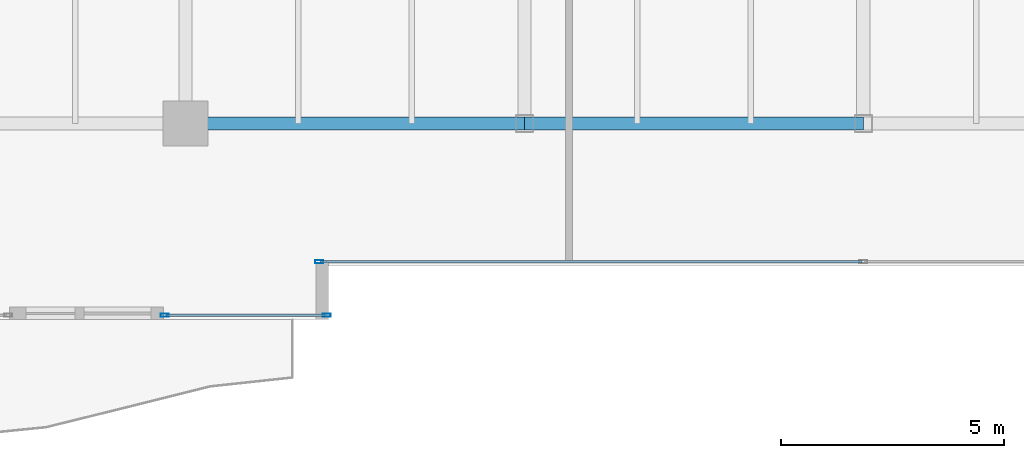
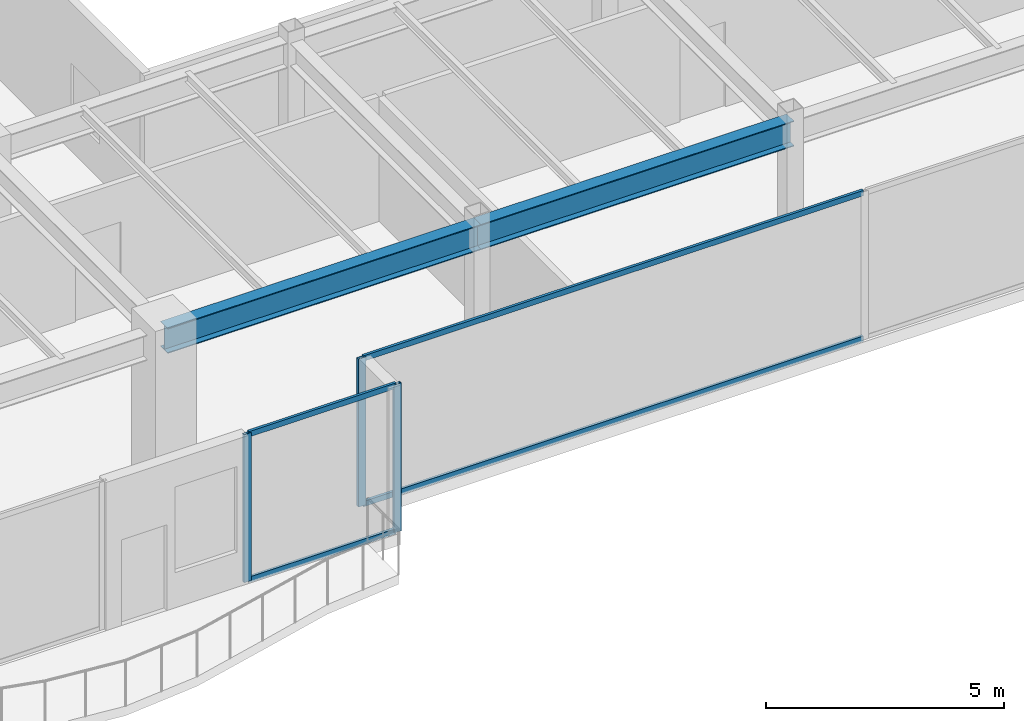
# One storey, part 6 of 34: 7 members, 2 beams, 2 elements without a shape of their own.
"""IFC4 building model written with IfcOpenShell, lengths in metres."""

import ifcopenshell
import ifcopenshell.guid

model = None  # the IFC model being written
_history = None  # IfcOwnerHistory: only IFC2X3 demands one
_inside = {}  # id of a spatial element -> (the spatial element, [elements in it])
_under = {}  # id of a project, library or spatial element -> (it, [spatial elements below it])
_declared = {}  # id of a project -> (the project, [libraries it declares])
_typed = {}  # id of a type object -> (the type object, [elements of that type])
_made_of = {}  # id of a material, layer set ... -> (it, [elements and type objects made of it])


def new_model(schema):
    """Start an empty IFC model of exactly this schema.

    Asked for "IFC4X3", IfcOpenShell would pick the latest addendum, in which some entities
    have other attributes; the version numbers below select the first issue.
    IFC2X3 requires an IfcOwnerHistory on every rooted entity: one is made here for all.
    """
    global model, _history
    if schema == "IFC4X3":
        model = ifcopenshell.file(schema_version=(4, 3, 0, 0))
    else:
        model = ifcopenshell.file(schema=schema)
    _inside.clear()
    _under.clear()
    _declared.clear()
    _typed.clear()
    _made_of.clear()
    _history = None
    if model.schema == "IFC2X3":
        org = make("IfcOrganization", Name="unknown")
        user = make(
            "IfcPersonAndOrganization",
            ThePerson=make("IfcPerson", FamilyName="unknown"),
            TheOrganization=org,
        )
        app = make(
            "IfcApplication",
            ApplicationDeveloper=org,
            Version="unknown",
            ApplicationFullName="unknown",
            ApplicationIdentifier="unknown",
        )
        _history = make(
            "IfcOwnerHistory",
            OwningUser=user,
            OwningApplication=app,
            ChangeAction="ADDED",
            CreationDate=0,
        )
    return model


def make(cls, **values):
    """One entity of the class cls with the attributes given. An attribute that is None is left unset."""
    return model.create_entity(
        cls, **{name: value for name, value in values.items() if value is not None}
    )


def rooted(cls, **values):
    """An entity with a GlobalId (a new one), such as an element, a storey or a relation."""
    return make(cls, GlobalId=ifcopenshell.guid.new(), OwnerHistory=_history, **values)


def si_unit(unit_type, name, prefix=None):
    """IfcSIUnit, for example si_unit("LENGTHUNIT", "METRE", prefix="MILLI")."""
    return make("IfcSIUnit", UnitType=unit_type, Prefix=prefix, Name=name)


def assignment(units):
    """IfcUnitAssignment: the units of a project."""
    return None if units is None else make("IfcUnitAssignment", Units=units)


def point(xyz):
    """IfcCartesianPoint."""
    return None if xyz is None else make("IfcCartesianPoint", Coordinates=xyz)


def direction(xyz):
    """IfcDirection."""
    return None if xyz is None else make("IfcDirection", DirectionRatios=xyz)


def frame(location, z_axis=None, x_axis=None):
    """IfcAxis2Placement3D, a coordinate frame: its origin and axes. An axis left out is left unset."""
    return make(
        "IfcAxis2Placement3D",
        Location=point(location),
        Axis=direction(z_axis),
        RefDirection=direction(x_axis),
    )


def frame_2d(location, x_axis=None):
    """IfcAxis2Placement2D, a coordinate frame in the plane: its origin and x axis."""
    return make(
        "IfcAxis2Placement2D", Location=point(location), RefDirection=direction(x_axis)
    )


def origin():
    """The frame at (0, 0, 0) with its axes left unset."""
    return frame((0.0, 0.0, 0.0))


def origin_2d():
    """The frame at (0, 0) in the plane with its x axis left unset."""
    return frame_2d((0.0, 0.0))


def place(relative_to, where):
    """IfcLocalPlacement: puts the frame where relative to a parent placement (None: the world)."""
    return make(
        "IfcLocalPlacement", PlacementRelTo=relative_to, RelativePlacement=where
    )


def context(
    kind, dimensions, precision=None, world=None, true_north=None, identifier=None
):
    """IfcGeometricRepresentationContext, for example the 3D "Model" context."""
    return make(
        "IfcGeometricRepresentationContext",
        ContextIdentifier=identifier,
        ContextType=kind,
        CoordinateSpaceDimension=dimensions,
        Precision=precision,
        WorldCoordinateSystem=world,
        TrueNorth=true_north,
    )


def subcontext(parent, identifier, kind, view, scale=None):
    """IfcGeometricRepresentationSubContext, for example "Body" below "Model"."""
    return make(
        "IfcGeometricRepresentationSubContext",
        ContextIdentifier=identifier,
        ContextType=kind,
        ParentContext=parent,
        TargetScale=scale,
        TargetView=view,
    )


def project(units=None, contexts=None):
    """IfcProject with its units and contexts."""
    return rooted(
        "IfcProject",
        Name="project",
        RepresentationContexts=contexts,
        UnitsInContext=assignment(units),
    )


def spatial(cls, under=None, at=None, **own):
    """A site, building, storey or space (cls), placed at a placement, below another one or the project."""
    s = rooted(cls, ObjectPlacement=at, **own)
    if under is not None:
        _under.setdefault(under.id(), (under, []))[1].append(s)
    return s


def profile(cls, at=None, kind="AREA", **sizes):
    """A parametric profile (cls). Its sizes go by their IFC names, for example OverallWidth=200.0."""
    return make(cls, ProfileType=kind, Position=at, **sizes)


def hollow_rectangle(**sizes):
    """IfcRectangleHollowProfileDef."""
    return profile("IfcRectangleHollowProfileDef", **sizes)


def i_section(**sizes):
    """IfcIShapeProfileDef."""
    return profile("IfcIShapeProfileDef", **sizes)


def extrude(swept, where, along, depth):
    """IfcExtrudedAreaSolid: the profile swept, set in the frame where, extruded along a direction by depth."""
    return make(
        "IfcExtrudedAreaSolid",
        SweptArea=swept,
        Position=where,
        ExtrudedDirection=direction(along),
        Depth=depth,
    )


def shape(context_of_items, identifier, shape_type, items):
    """IfcShapeRepresentation: the items that make up one representation, for example the "Body"."""
    return make(
        "IfcShapeRepresentation",
        ContextOfItems=context_of_items,
        RepresentationIdentifier=identifier,
        RepresentationType=shape_type,
        Items=items,
    )


def source(mapping_origin, context_of_items, identifier, shape_type, items):
    """IfcRepresentationMap: a shape defined once, which mapped items show again and again."""
    return make(
        "IfcRepresentationMap",
        MappingOrigin=mapping_origin,
        MappedRepresentation=shape(context_of_items, identifier, shape_type, items),
    )


def transform(
    local_origin,
    x_axis=None,
    y_axis=None,
    z_axis=None,
    scale=None,
    scale2=None,
    scale3=None,
    uniform=True,
):
    """IfcCartesianTransformationOperator3D, or its non-uniform kind. x_axis, y_axis, z_axis: its Axis1, 2, 3."""
    if uniform:
        return make(
            "IfcCartesianTransformationOperator3D",
            Axis1=direction(x_axis),
            Axis2=direction(y_axis),
            LocalOrigin=point(local_origin),
            Scale=scale,
            Axis3=direction(z_axis),
        )
    return make(
        "IfcCartesianTransformationOperator3DnonUniform",
        Axis1=direction(x_axis),
        Axis2=direction(y_axis),
        LocalOrigin=point(local_origin),
        Scale=scale,
        Axis3=direction(z_axis),
        Scale2=scale2,
        Scale3=scale3,
    )


def mapped(mapping_source, mapping_target):
    """IfcMappedItem: shows the shape of a source again, moved by a transform."""
    return make(
        "IfcMappedItem", MappingSource=mapping_source, MappingTarget=mapping_target
    )


def material(Name=None, Category=None):
    """IfcMaterial."""
    return make("IfcMaterial", Name=Name, Category=Category)


def layer(
    of_material, thickness, ventilated=None, Name=None, Category=None, Priority=None
):
    """IfcMaterialLayer: one layer of a wall or slab, of a material (None: an air gap)."""
    return make(
        "IfcMaterialLayer",
        Material=of_material,
        LayerThickness=thickness,
        IsVentilated=ventilated,
        Name=Name,
        Category=Category,
        Priority=Priority,
    )


def layer_set(layers, Name=None):
    """IfcMaterialLayerSet."""
    return make("IfcMaterialLayerSet", MaterialLayers=layers, LayerSetName=Name)


def material_profile(
    of_material, cross_section, Name=None, Category=None, Priority=None
):
    """IfcMaterialProfile: a cross section and its material."""
    return make(
        "IfcMaterialProfile",
        Name=Name,
        Material=of_material,
        Profile=cross_section,
        Priority=Priority,
        Category=Category,
    )


def profile_set(profiles, Name=None, composite=None):
    """IfcMaterialProfileSet."""
    return make(
        "IfcMaterialProfileSet",
        Name=Name,
        MaterialProfiles=profiles,
        CompositeProfile=composite,
    )


def made_of(thing, what):
    """Note that an element or type object is made of a material, layer set ...; save() writes the relation."""
    if what is not None:
        _made_of.setdefault(what.id(), (what, []))[1].append(thing)
    return thing


def type_object(cls, material=None, **own):
    """A type object (cls), such as IfcWallType, which elements share."""
    return made_of(rooted(cls, **own), material)


def type_shapes(of_type, sources):
    """Give a type object the sources (RepresentationMaps) that its elements show as mapped items."""
    of_type.RepresentationMaps = sources


def element(
    cls,
    number,
    at=None,
    inside=None,
    cuts=None,
    type_object=None,
    material=None,
    context=None,
    identifier="Body",
    shape_type=None,
    held_by="IfcProductDefinitionShape",
    body=None,
    shapes=None,
    **own,
):
    """One element of the class cls, such as IfcWall. Its Tag is "e" and its number.

    at: its placement. inside: the storey or other place that contains it. cuts: it is an
    opening in that element (IfcRelVoidsElement). A single representation is given by context,
    identifier, shape_type and body (its items); several are given by shapes. held_by: the class
    of the entity that holds the representations. save() writes the other relations.
    """
    e = rooted(cls, Tag="e%d" % number, ObjectPlacement=at, **own)
    if body is not None:
        shapes = [shape(context, identifier, shape_type, body)]
    if shapes is not None:
        e.Representation = make(held_by, Representations=shapes)
    if inside is not None:
        _inside.setdefault(inside.id(), (inside, []))[1].append(e)
    if cuts is not None:
        rooted(
            "IfcRelVoidsElement", RelatingBuildingElement=cuts, RelatedOpeningElement=e
        )
    if type_object is not None:
        _typed.setdefault(type_object.id(), (type_object, []))[1].append(e)
    return made_of(e, material)


def aggregate(whole, parts):
    """IfcRelAggregates: a whole, such as a stair, and the parts it consists of."""
    return rooted("IfcRelAggregates", RelatingObject=whole, RelatedObjects=parts)


def save(model, path):
    """Write the relations noted so far, then the file.

    IfcRelAggregates (storeys below a building ...), IfcRelContainedInSpatialStructure (elements
    in a storey), IfcRelDefinesByType, IfcRelAssociatesMaterial and IfcRelDeclares: one each for
    every whole, place, type object, material and project.
    """
    for whole, parts in _under.values():
        aggregate(whole, parts)
    for where, things in _inside.values():
        rooted(
            "IfcRelContainedInSpatialStructure",
            RelatedElements=things,
            RelatingStructure=where,
        )
    for kind, things in _typed.values():
        rooted("IfcRelDefinesByType", RelatedObjects=things, RelatingType=kind)
    for what, things in _made_of.values():
        rooted("IfcRelAssociatesMaterial", RelatedObjects=things, RelatingMaterial=what)
    for by, libraries in _declared.values():
        rooted("IfcRelDeclares", RelatingContext=by, RelatedDefinitions=libraries)
    model.write(path)


model = new_model("IFC4")

# Units and contexts
model_context = context("Model", 3, precision=1e-05, world=origin(), true_north=direction((0.0, 1.0)))
body_context = subcontext(model_context, "Body", "Model", "MODEL_VIEW")
ifc_project = project(units=[si_unit("LENGTHUNIT", "METRE"), si_unit("AREAUNIT", "SQUARE_METRE"), si_unit("VOLUMEUNIT", "CUBIC_METRE"), si_unit("PLANEANGLEUNIT", "RADIAN"), si_unit("MASSUNIT", "GRAM", prefix="KILO")], contexts=[model_context])

# Site, building, storey
site_placement = place(None, origin())
site = spatial("IfcSite", under=ifc_project, at=site_placement, CompositionType="ELEMENT")
building_placement = place(site_placement, origin())
building = spatial("IfcBuilding", under=site, at=building_placement, Name="Haelvirn Gate Laboratories", CompositionType="ELEMENT")
storey_placement = place(building_placement, frame((0.0, 0.0, 246.5)))
storey = spatial("IfcBuildingStorey", under=building, at=storey_placement, Name="L59", CompositionType="ELEMENT", Elevation=246.5)

# Beams
ifc_material_1 = material(Name="Steel SM355", Category="steel")
ifc_material_profile_1 = material_profile(ifc_material_1, i_section(OverallWidth=0.300048828125, OverallDepth=0.64990234375, WebThickness=0.012939453125, FlangeThickness=0.02197265625, at=origin_2d()), Name="H-650x300x13x22")
ifc_profile_set_1 = profile_set([ifc_material_profile_1], Name="Steel SM355")
beam_type = type_object("IfcBeamType", Name="BM-G-650", PredefinedType="BEAM", material=ifc_profile_set_1)
shared_shape_1 = source(origin(), body_context, "Body", "SweptSolid", [
    extrude(i_section(OverallWidth=0.300048828125, OverallDepth=0.64990234375, WebThickness=0.012939453125, FlangeThickness=0.02197265625, at=origin_2d()), origin(), (0.0, 0.0, 1.0), 7.60009765625),
])
beam_1_placement = place(storey_placement, frame((22.199951171875, 7.0, 3.47509765625), z_axis=(1.0, 0.0, 0.0), x_axis=(0.0, 1.0, 0.0)))
element("IfcBeam", 1, at=beam_1_placement, inside=storey, type_object=beam_type, Name="L59 Primary Girder Y7.0 (22.2-29.8)", PredefinedType="BEAM", context=body_context, shape_type="MappedRepresentation", body=[
    mapped(shared_shape_1, transform((0.0, 0.0, 0.0), scale=1.0)),
])
shared_shape_2 = source(origin(), body_context, "Body", "SweptSolid", [
    extrude(i_section(OverallWidth=0.300048828125, OverallDepth=0.64990234375, WebThickness=0.012939453125, FlangeThickness=0.02197265625, at=origin_2d()), origin(), (0.0, 0.0, 1.0), 7.599853515625),
])
type_shapes(beam_type, [shared_shape_1, shared_shape_2])
beam_2_placement = place(storey_placement, frame((29.800048828125, 7.0, 3.47509765625), z_axis=(1.0, 0.0, 0.0), x_axis=(0.0, 1.0, 0.0)))
element("IfcBeam", 2, at=beam_2_placement, inside=storey, type_object=beam_type, Name="L59 Primary Girder Y7.0 (29.8-37.4)", PredefinedType="BEAM", context=body_context, shape_type="MappedRepresentation", body=[
    mapped(shared_shape_2, transform((0.0, 0.0, 0.0), scale=1.0)),
])

# Curtain wall, members
ifc_material_2 = material(Name="Anodised bronze unitised aluminium & triple low-E glass", Category="aluminium")
ifc_layer = layer(ifc_material_2, 0.176025390625, Name="CW-SYS-4")
ifc_layer_set = layer_set([ifc_layer], Name="Anodised bronze unitised aluminium & triple low-E glass")
curtain_wall_type = type_object("IfcCurtainWallType", Name="CW-SYS-4", PredefinedType="NOTDEFINED", material=ifc_layer_set)
curtain_wall_1_placement = place(storey_placement, origin())
curtain_wall_1 = element("IfcCurtainWall", 3, at=curtain_wall_1_placement, inside=storey, type_object=curtain_wall_type, Name="L59 Unitised Curtain Wall CW-L59-P0-E02-1", PredefinedType="NOTDEFINED")
ifc_material_3 = material(Name="Extruded aluminium 6063-T6 (anodised bronze)", Category="aluminium")
ifc_material_profile_2 = material_profile(ifc_material_3, hollow_rectangle(XDim=0.06494140625, YDim=0.139892578125, WallThickness=0.00390625, at=origin_2d()), Name="CWT-140x65x4")
ifc_profile_set_2 = profile_set([ifc_material_profile_2], Name="Extruded aluminium 6063-T6 (anodised bronze)")
member_type_1 = type_object("IfcMemberType", Name="CWT-T140", PredefinedType="USERDEFINED", material=ifc_profile_set_2)
shared_shape_3 = source(origin(), body_context, "Body", "SweptSolid", [
    extrude(hollow_rectangle(XDim=0.06494140625, YDim=0.139892578125, WallThickness=0.00390625, at=origin_2d()), origin(), (0.0, 0.0, 1.0), 12.135009765625),
])
member_1_placement = place(storey_placement, frame((25.22998046875, 3.89990234375, 0.032470703125), z_axis=(1.0, 0.0, 0.0), x_axis=(0.0, 1.0, 0.0)))
member_1 = element("IfcMember", 4, at=member_1_placement, type_object=member_type_1, Name="CW4 transom 1.1", ObjectType="TRANSOM", PredefinedType="USERDEFINED", context=body_context, shape_type="MappedRepresentation", body=[
    mapped(shared_shape_3, transform((0.0, 0.0, 0.0), scale=1.0)),
])
member_2_placement = place(storey_placement, frame((25.22998046875, 3.89990234375, 3.767578125), z_axis=(1.0, 0.0, 0.0), x_axis=(0.0, 1.0, 0.0)))
member_2 = element("IfcMember", 5, at=member_2_placement, type_object=member_type_1, Name="CW4 transom 1.2", ObjectType="TRANSOM", PredefinedType="USERDEFINED", context=body_context, shape_type="MappedRepresentation", body=[
    mapped(shared_shape_3, transform((0.0, 0.0, 0.0), scale=1.0)),
])

curtain_wall_2_placement = place(storey_placement, origin())
curtain_wall_2 = element("IfcCurtainWall", 6, at=curtain_wall_2_placement, inside=storey, type_object=curtain_wall_type, Name="L59 Unitised Curtain Wall CW-L59-P0-E00-2", PredefinedType="NOTDEFINED")
ifc_material_profile_3 = material_profile(ifc_material_3, hollow_rectangle(XDim=0.070068359375, YDim=0.179931640625, WallThickness=0.0048828125, at=origin_2d()), Name="CWM-180x70x5")
ifc_profile_set_3 = profile_set([ifc_material_profile_3], Name="Extruded aluminium 6063-T6 (anodised bronze)")
member_type_2 = type_object("IfcMemberType", Name="CWM-T180", PredefinedType="MULLION", material=ifc_profile_set_3)
shared_shape_4 = source(origin(), body_context, "Body", "SweptSolid", [
    extrude(hollow_rectangle(XDim=0.070068359375, YDim=0.179931640625, WallThickness=0.0048828125, at=origin_2d()), origin(), (0.0, 0.0, 1.0), 3.800048828125),
])
type_shapes(member_type_2, [shared_shape_4])
member_3_placement = place(storey_placement, frame((21.72998046875, 2.699951171875, 0.0), z_axis=(0.0, 0.0, 1.0), x_axis=(0.0, 1.0, 0.0)))
member_3 = element("IfcMember", 7, at=member_3_placement, type_object=member_type_2, Name="CW4 mullion 1", PredefinedType="MULLION", context=body_context, shape_type="MappedRepresentation", body=[
    mapped(shared_shape_4, transform((0.0, 0.0, 0.0), scale=1.0)),
])
member_4_placement = place(storey_placement, frame((25.364990234375, 2.699951171875, 0.0), z_axis=(0.0, 0.0, 1.0), x_axis=(0.0, 1.0, 0.0)))
member_4 = element("IfcMember", 8, at=member_4_placement, type_object=member_type_2, Name="CW4 mullion 2", PredefinedType="MULLION", context=body_context, shape_type="MappedRepresentation", body=[
    mapped(shared_shape_4, transform((0.0, 0.0, 0.0), scale=1.0)),
])

# Member
member_5_placement = place(storey_placement, frame((25.195068359375, 3.89990234375, 0.0), z_axis=(0.0, 0.0, 1.0), x_axis=(0.0, 1.0, 0.0)))
member_5 = element("IfcMember", 9, at=member_5_placement, type_object=member_type_2, Name="CW4 mullion 1", PredefinedType="MULLION", context=body_context, shape_type="MappedRepresentation", body=[
    mapped(shared_shape_4, transform((0.0, 0.0, 0.0), scale=1.0)),
])

aggregate(curtain_wall_1, [member_5, member_1, member_2])

shared_shape_5 = source(origin(), body_context, "Body", "SweptSolid", [
    extrude(hollow_rectangle(XDim=0.06494140625, YDim=0.139892578125, WallThickness=0.00390625, at=origin_2d()), origin(), (0.0, 0.0, 1.0), 3.565185546875),
])
type_shapes(member_type_1, [shared_shape_3, shared_shape_5])
member_6_placement = place(storey_placement, frame((21.764892578125, 2.699951171875, 0.032470703125), z_axis=(1.0, 0.0, 0.0), x_axis=(0.0, 1.0, 0.0)))
member_6 = element("IfcMember", 10, at=member_6_placement, type_object=member_type_1, Name="CW4 transom 1.1", ObjectType="TRANSOM", PredefinedType="USERDEFINED", context=body_context, shape_type="MappedRepresentation", body=[
    mapped(shared_shape_5, transform((0.0, 0.0, 0.0), scale=1.0)),
])

member_7_placement = place(storey_placement, frame((21.764892578125, 2.699951171875, 3.767578125), z_axis=(1.0, 0.0, 0.0), x_axis=(0.0, 1.0, 0.0)))
member_7 = element("IfcMember", 11, at=member_7_placement, type_object=member_type_1, Name="CW4 transom 1.2", ObjectType="TRANSOM", PredefinedType="USERDEFINED", context=body_context, shape_type="MappedRepresentation", body=[
    mapped(shared_shape_5, transform((0.0, 0.0, 0.0), scale=1.0)),
])

aggregate(curtain_wall_2, [member_3, member_4, member_6, member_7])

save(model, "model.ifc")
